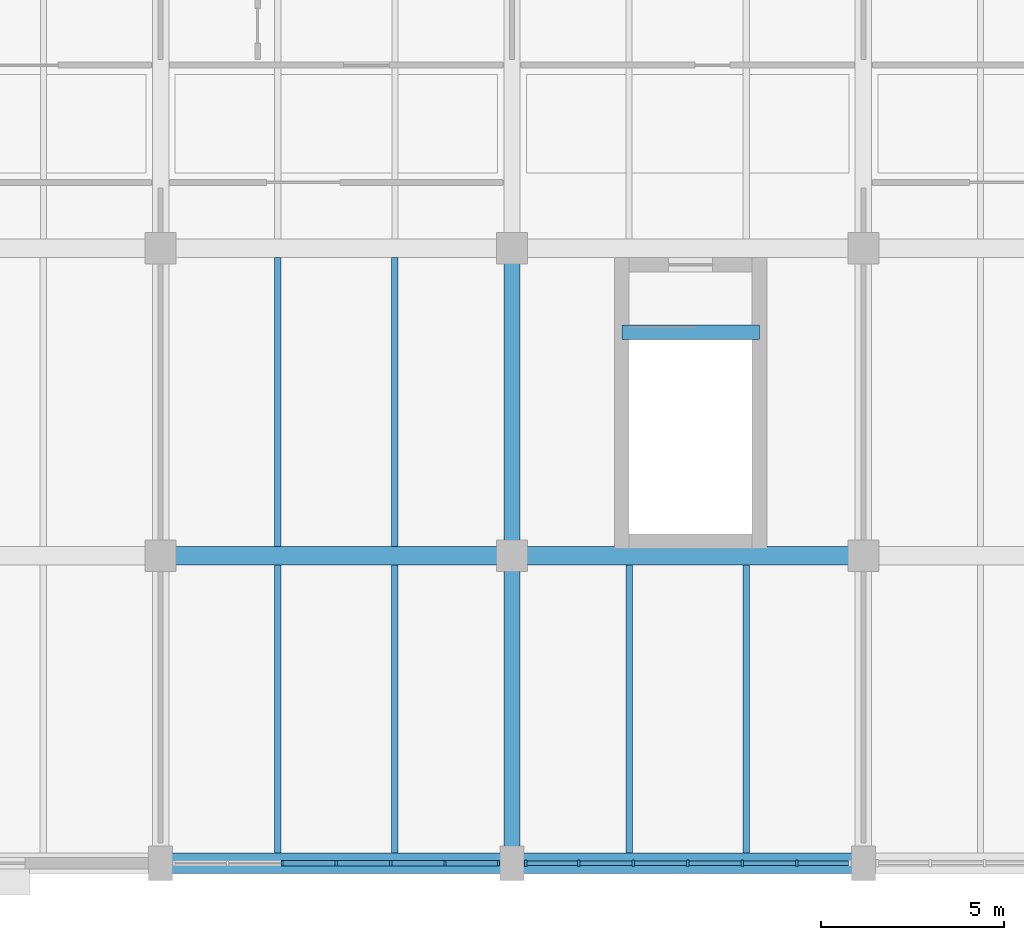
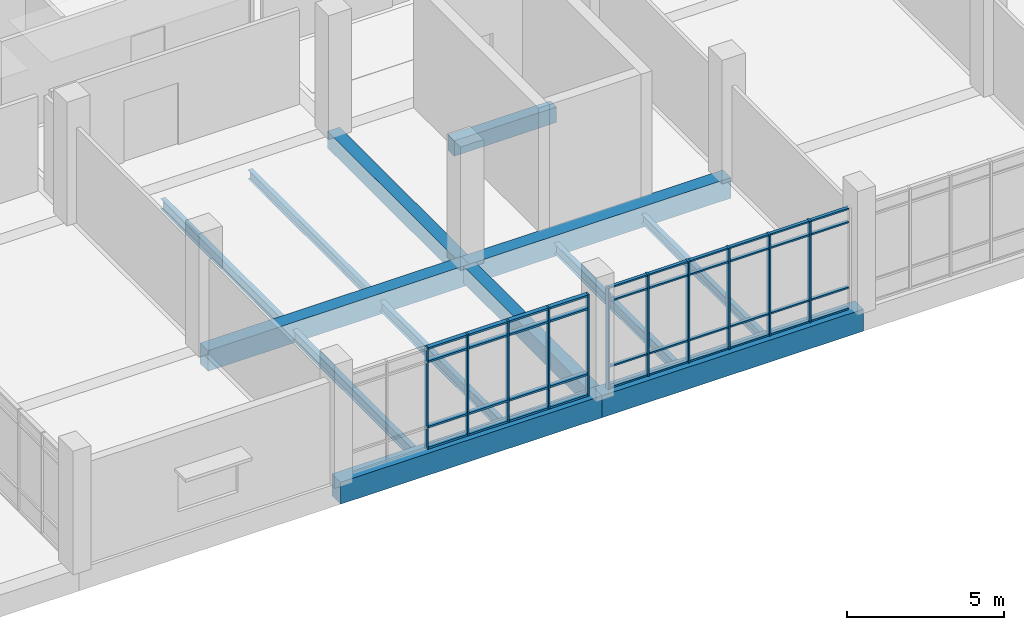
# One storey, part 11 of 152: 51 members, 13 beams, 2 elements without a shape of their own.
"""IFC4 building model written with IfcOpenShell, lengths in metres."""

from ifc_helpers import new_model, si_unit, direction, frame, origin, origin_2d, place, context, subcontext, project, spatial, rectangle, i_section, extrude, material, material_profile, profile_set, type_object, element, aggregate, save


model = new_model("IFC4")

# Units and contexts
model_context = context("Model", 3, precision=1e-05, world=origin(), true_north=direction((0.0, 1.0)))
body_context = subcontext(model_context, "Body", "Model", "MODEL_VIEW")
ifc_project = project(units=[si_unit("LENGTHUNIT", "METRE"), si_unit("AREAUNIT", "SQUARE_METRE"), si_unit("VOLUMEUNIT", "CUBIC_METRE"), si_unit("PLANEANGLEUNIT", "RADIAN"), si_unit("MASSUNIT", "GRAM", prefix="KILO")], contexts=[model_context])

# Site, building, storey
site_placement = place(None, origin())
site = spatial("IfcSite", under=ifc_project, at=site_placement, CompositionType="ELEMENT")
building_placement = place(site_placement, origin())
building = spatial("IfcBuilding", under=site, at=building_placement, Name="Oolite Switchyard Hospital", CompositionType="ELEMENT")
storey_placement = place(building_placement, frame((0.0, 0.0, 5.10009765625)))
storey = spatial("IfcBuildingStorey", under=building, at=storey_placement, Name="L01", CompositionType="ELEMENT", Elevation=5.10009765625)

# Beams
ifc_material_1 = material(Name="Concrete C40/50", Category="concrete")
ifc_material_profile_1 = material_profile(ifc_material_1, rectangle(XDim=0.39990234375, YDim=0.60009765625, at=origin_2d()), Name="RCB400X600")
ifc_profile_set_1 = profile_set([ifc_material_profile_1], Name="Concrete C40/50")
beam_type_1 = type_object("IfcBeamType", Name="BM-RC400X600", PredefinedType="BEAM", material=ifc_profile_set_1)
beam_1_placement = place(storey_placement, frame((41.39990234375, 14.510009765625, -0.300048828125), z_axis=(1.0, 0.0, 0.0), x_axis=(0.0, 1.0, 0.0)))
element("IfcBeam", 1, at=beam_1_placement, inside=storey, type_object=beam_type_1, Name="L01 ST-08 Stair Throat Trimmer Beam", PredefinedType="BEAM", context=body_context, shape_type="SweptSolid", body=[
    extrude(rectangle(XDim=0.39990234375, YDim=0.60009765625, at=origin_2d()), origin(), (0.0, 0.0, 1.0), 3.760009765625),
])
ifc_material_profile_2 = material_profile(ifc_material_1, rectangle(XDim=0.449951171875, YDim=0.64990234375, at=origin_2d()), Name="RCB450X650")
ifc_profile_set_2 = profile_set([ifc_material_profile_2], Name="Concrete C40/50")
beam_type_2 = type_object("IfcBeamType", Name="BM-RC450X650", PredefinedType="BEAM", material=ifc_profile_set_2)
beam_2_placement = place(storey_placement, frame((38.39990234375, 0.0, -0.3251953125), z_axis=(0.0, 1.0, 0.0), x_axis=(-1.0, 0.0, 0.0)))
element("IfcBeam", 2, at=beam_2_placement, inside=storey, type_object=beam_type_2, Name="L01 Y-Girder 350", PredefinedType="BEAM", context=body_context, shape_type="SweptSolid", body=[
    extrude(rectangle(XDim=0.449951171875, YDim=0.64990234375, at=origin_2d()), origin(), (0.0, 0.0, 1.0), 8.39990234375),
])
beam_3_placement = place(storey_placement, frame((38.39990234375, 8.39990234375, -0.3251953125), z_axis=(0.0, 1.0, 0.0), x_axis=(-1.0, 0.0, 0.0)))
element("IfcBeam", 3, at=beam_3_placement, inside=storey, type_object=beam_type_2, Name="L01 Y-Girder 351", PredefinedType="BEAM", context=body_context, shape_type="SweptSolid", body=[
    extrude(rectangle(XDim=0.449951171875, YDim=0.64990234375, at=origin_2d()), origin(), (0.0, 0.0, 1.0), 8.400146484375),
])
ifc_material_profile_3 = material_profile(ifc_material_1, rectangle(XDim=0.5, YDim=0.800048828125, at=origin_2d()), Name="RCB500X800")
ifc_profile_set_3 = profile_set([ifc_material_profile_3], Name="Concrete C40/50")
beam_type_3 = type_object("IfcBeamType", Name="BM-RC500X800", PredefinedType="BEAM", material=ifc_profile_set_3)
beam_4_placement = place(storey_placement, frame((28.800048828125, 8.39990234375, -0.400146484375), z_axis=(1.0, 0.0, 0.0), x_axis=(0.0, 1.0, 0.0)))
element("IfcBeam", 4, at=beam_4_placement, inside=storey, type_object=beam_type_3, Name="L01 X-Girder 11", PredefinedType="BEAM", context=body_context, shape_type="SweptSolid", body=[
    extrude(rectangle(XDim=0.5, YDim=0.800048828125, at=origin_2d()), origin(), (0.0, 0.0, 1.0), 9.599853515625),
])
beam_5_placement = place(storey_placement, frame((38.39990234375, 8.39990234375, -0.400146484375), z_axis=(1.0, 0.0, 0.0), x_axis=(0.0, 1.0, 0.0)))
element("IfcBeam", 5, at=beam_5_placement, inside=storey, type_object=beam_type_3, Name="L01 X-Girder 12", PredefinedType="BEAM", context=body_context, shape_type="SweptSolid", body=[
    extrude(rectangle(XDim=0.5, YDim=0.800048828125, at=origin_2d()), origin(), (0.0, 0.0, 1.0), 9.60009765625),
])
ifc_material_profile_4 = material_profile(ifc_material_1, rectangle(XDim=0.550048828125, YDim=0.85009765625, at=origin_2d()), Name="RCB550X850")
ifc_profile_set_4 = profile_set([ifc_material_profile_4], Name="Concrete C40/50")
beam_type_4 = type_object("IfcBeamType", Name="BM-RC550X850", PredefinedType="BEAM", material=ifc_profile_set_4)
beam_6_placement = place(storey_placement, frame((28.800048828125, 0.0, -0.425048828125), z_axis=(1.0, 0.0, 0.0), x_axis=(0.0, 1.0, 0.0)))
element("IfcBeam", 6, at=beam_6_placement, inside=storey, type_object=beam_type_4, Name="L01 X-Girder 4", PredefinedType="BEAM", context=body_context, shape_type="SweptSolid", body=[
    extrude(rectangle(XDim=0.550048828125, YDim=0.85009765625, at=origin_2d()), origin(), (0.0, 0.0, 1.0), 9.599853515625),
])
beam_7_placement = place(storey_placement, frame((38.39990234375, 0.0, -0.425048828125), z_axis=(1.0, 0.0, 0.0), x_axis=(0.0, 1.0, 0.0)))
element("IfcBeam", 7, at=beam_7_placement, inside=storey, type_object=beam_type_4, Name="L01 X-Girder 5", PredefinedType="BEAM", context=body_context, shape_type="SweptSolid", body=[
    extrude(rectangle(XDim=0.550048828125, YDim=0.85009765625, at=origin_2d()), origin(), (0.0, 0.0, 1.0), 9.60009765625),
])
ifc_material_2 = material(Name="Steel ASTM A992 Grade 50", Category="steel")
ifc_material_profile_5 = material_profile(ifc_material_2, i_section(OverallWidth=0.1708984375, OverallDepth=0.35107421875, WebThickness=0.007080078125, FlangeThickness=0.010009765625, at=origin_2d()), Name="W14X30")
ifc_profile_set_5 = profile_set([ifc_material_profile_5], Name="Steel ASTM A992 Grade 50")
beam_type_5 = type_object("IfcBeamType", Name="BM-W14X30", PredefinedType="JOIST", material=ifc_profile_set_5)
beam_8_placement = place(storey_placement, frame((35.199951171875, 8.64990234375, -0.4501953125), z_axis=(0.0, 1.0, 0.0), x_axis=(-1.0, 0.0, 0.0)))
element("IfcBeam", 8, at=beam_8_placement, inside=storey, type_object=beam_type_5, Name="L01 Secondary Steel Joist 653", PredefinedType="JOIST", context=body_context, shape_type="SweptSolid", body=[
    extrude(i_section(OverallWidth=0.1708984375, OverallDepth=0.35107421875, WebThickness=0.007080078125, FlangeThickness=0.010009765625, at=origin_2d()), origin(), (0.0, 0.0, 1.0), 7.900146484375),
])
beam_9_placement = place(storey_placement, frame((44.800048828125, 0.27490234375, -0.4501953125), z_axis=(0.0, 1.0, 0.0), x_axis=(-1.0, 0.0, 0.0)))
element("IfcBeam", 9, at=beam_9_placement, inside=storey, type_object=beam_type_5, Name="L01 Secondary Steel Joist 683", PredefinedType="JOIST", context=body_context, shape_type="SweptSolid", body=[
    extrude(i_section(OverallWidth=0.1708984375, OverallDepth=0.35107421875, WebThickness=0.007080078125, FlangeThickness=0.010009765625, at=origin_2d()), origin(), (0.0, 0.0, 1.0), 7.875),
])
ifc_material_profile_6 = material_profile(ifc_material_2, i_section(OverallWidth=0.177978515625, OverallDepth=0.403076171875, WebThickness=0.008056640625, FlangeThickness=0.010986328125, at=origin_2d()), Name="W16X36")
ifc_profile_set_6 = profile_set([ifc_material_profile_6], Name="Steel ASTM A992 Grade 50")
beam_type_6 = type_object("IfcBeamType", Name="BM-W16X36", PredefinedType="JOIST", material=ifc_profile_set_6)
beam_10_placement = place(storey_placement, frame((35.199951171875, 0.27490234375, -0.47705078125), z_axis=(0.0, 1.0, 0.0), x_axis=(-1.0, 0.0, 0.0)))
element("IfcBeam", 10, at=beam_10_placement, inside=storey, type_object=beam_type_6, Name="L01 Secondary Steel Joist 651", PredefinedType="JOIST", context=body_context, shape_type="SweptSolid", body=[
    extrude(i_section(OverallWidth=0.177978515625, OverallDepth=0.403076171875, WebThickness=0.008056640625, FlangeThickness=0.010986328125, at=origin_2d()), origin(), (0.0, 0.0, 1.0), 7.875),
])
beam_11_placement = place(storey_placement, frame((32.0, 8.64990234375, -0.47705078125), z_axis=(0.0, 1.0, 0.0), x_axis=(-1.0, 0.0, 0.0)))
element("IfcBeam", 11, at=beam_11_placement, inside=storey, type_object=beam_type_6, Name="L01 Secondary Steel Joist 652", PredefinedType="JOIST", context=body_context, shape_type="SweptSolid", body=[
    extrude(i_section(OverallWidth=0.177978515625, OverallDepth=0.403076171875, WebThickness=0.008056640625, FlangeThickness=0.010986328125, at=origin_2d()), origin(), (0.0, 0.0, 1.0), 7.900146484375),
])
beam_12_placement = place(storey_placement, frame((41.60009765625, 0.27490234375, -0.47705078125), z_axis=(0.0, 1.0, 0.0), x_axis=(-1.0, 0.0, 0.0)))
element("IfcBeam", 12, at=beam_12_placement, inside=storey, type_object=beam_type_6, Name="L01 Secondary Steel Joist 682", PredefinedType="JOIST", context=body_context, shape_type="SweptSolid", body=[
    extrude(i_section(OverallWidth=0.177978515625, OverallDepth=0.403076171875, WebThickness=0.008056640625, FlangeThickness=0.010986328125, at=origin_2d()), origin(), (0.0, 0.0, 1.0), 7.875),
])
ifc_material_profile_7 = material_profile(ifc_material_2, i_section(OverallWidth=0.179931640625, OverallDepth=0.4130859375, WebThickness=0.010009765625, FlangeThickness=0.01611328125, at=origin_2d()), Name="W16X50")
ifc_profile_set_7 = profile_set([ifc_material_profile_7], Name="Steel ASTM A992 Grade 50")
beam_type_7 = type_object("IfcBeamType", Name="BM-W16X50", PredefinedType="JOIST", material=ifc_profile_set_7)
beam_13_placement = place(storey_placement, frame((32.0, 0.27490234375, -0.482177734375), z_axis=(0.0, 1.0, 0.0), x_axis=(-1.0, 0.0, 0.0)))
element("IfcBeam", 13, at=beam_13_placement, inside=storey, type_object=beam_type_7, Name="L01 Secondary Steel Joist 650", PredefinedType="JOIST", context=body_context, shape_type="SweptSolid", body=[
    extrude(i_section(OverallWidth=0.179931640625, OverallDepth=0.4130859375, WebThickness=0.010009765625, FlangeThickness=0.01611328125, at=origin_2d()), origin(), (0.0, 0.0, 1.0), 7.875),
])

# Curtain wall, members
ifc_material_3 = material(Name="Thermally broken aluminum frame with laminated impact glazing", Category="aluminium")
curtain_wall_type = type_object("IfcCurtainWallType", Name="CW-UNIT-96X48", PredefinedType="USERDEFINED", material=ifc_material_3)
curtain_wall_1_placement = place(storey_placement, origin())
curtain_wall_1 = element("IfcCurtainWall", 14, at=curtain_wall_1_placement, inside=storey, type_object=curtain_wall_type, Name="L01 Unitised Curtain Wall 95", ObjectType="UNITISED", PredefinedType="USERDEFINED")
ifc_material_4 = material(Name="Aluminium 6063-T6", Category="aluminium")
ifc_material_profile_8 = material_profile(ifc_material_4, rectangle(XDim=0.159912109375, YDim=0.06005859375, at=origin_2d()), Name="CWM60X160")
ifc_profile_set_8 = profile_set([ifc_material_profile_8], Name="Aluminium 6063-T6")
member_type_1 = type_object("IfcMemberType", Name="CW-MUL-180", PredefinedType="MULLION", material=ifc_profile_set_8)
member_1_placement = place(storey_placement, frame((38.030029296875, 0.0, 0.0), z_axis=(0.0, 0.0, 1.0), x_axis=(0.0, -1.0, 0.0)))
member_1 = element("IfcMember", 15, at=member_1_placement, type_object=member_type_1, Name="CW-02 mullion 1", PredefinedType="MULLION", context=body_context, shape_type="SweptSolid", body=[
    extrude(rectangle(XDim=0.159912109375, YDim=0.06005859375, at=origin_2d()), origin(), (0.0, 0.0, 1.0), 3.93994140625),
])
member_2_placement = place(storey_placement, frame((36.5732421875, 0.0, 0.0), z_axis=(0.0, 0.0, 1.0), x_axis=(0.0, -1.0, 0.0)))
member_2 = element("IfcMember", 16, at=member_2_placement, type_object=member_type_1, Name="CW-02 mullion 2", PredefinedType="MULLION", context=body_context, shape_type="SweptSolid", body=[
    extrude(rectangle(XDim=0.159912109375, YDim=0.06005859375, at=origin_2d()), origin(), (0.0, 0.0, 1.0), 3.93994140625),
])
member_3_placement = place(storey_placement, frame((35.086669921875, 0.0, 0.0), z_axis=(0.0, 0.0, 1.0), x_axis=(0.0, -1.0, 0.0)))
member_3 = element("IfcMember", 17, at=member_3_placement, type_object=member_type_1, Name="CW-02 mullion 3", PredefinedType="MULLION", context=body_context, shape_type="SweptSolid", body=[
    extrude(rectangle(XDim=0.159912109375, YDim=0.06005859375, at=origin_2d()), origin(), (0.0, 0.0, 1.0), 3.93994140625),
])
member_4_placement = place(storey_placement, frame((33.60009765625, 0.0, 0.0), z_axis=(0.0, 0.0, 1.0), x_axis=(0.0, -1.0, 0.0)))
member_4 = element("IfcMember", 18, at=member_4_placement, type_object=member_type_1, Name="CW-02 mullion 4", PredefinedType="MULLION", context=body_context, shape_type="SweptSolid", body=[
    extrude(rectangle(XDim=0.159912109375, YDim=0.06005859375, at=origin_2d()), origin(), (0.0, 0.0, 1.0), 3.93994140625),
])
member_5_placement = place(storey_placement, frame((32.11328125, 0.0, 0.0), z_axis=(0.0, 0.0, 1.0), x_axis=(0.0, -1.0, 0.0)))
member_5 = element("IfcMember", 19, at=member_5_placement, type_object=member_type_1, Name="CW-02 mullion 5", PredefinedType="MULLION", context=body_context, shape_type="SweptSolid", body=[
    extrude(rectangle(XDim=0.159912109375, YDim=0.06005859375, at=origin_2d()), origin(), (0.0, 0.0, 1.0), 3.93994140625),
])

curtain_wall_2_placement = place(storey_placement, origin())
curtain_wall_2 = element("IfcCurtainWall", 20, at=curtain_wall_2_placement, inside=storey, type_object=curtain_wall_type, Name="L01 Unitised Curtain Wall 96", ObjectType="UNITISED", PredefinedType="USERDEFINED")
ifc_material_profile_9 = material_profile(ifc_material_4, rectangle(XDim=0.179931640625, YDim=0.070068359375, at=origin_2d()), Name="CWM70X180")
ifc_profile_set_9 = profile_set([ifc_material_profile_9], Name="Aluminium 6063-T6")
member_type_2 = type_object("IfcMemberType", Name="CW-MUL-220", PredefinedType="MULLION", material=ifc_profile_set_9)
member_6_placement = place(storey_placement, frame((46.17333984375, 0.0, 0.0), z_axis=(0.0, 0.0, 1.0), x_axis=(0.0, -1.0, 0.0)))
member_6 = element("IfcMember", 21, at=member_6_placement, type_object=member_type_2, Name="CW-02 mullion 2", PredefinedType="MULLION", context=body_context, shape_type="SweptSolid", body=[
    extrude(rectangle(XDim=0.179931640625, YDim=0.070068359375, at=origin_2d()), origin(), (0.0, 0.0, 1.0), 3.93994140625),
])
member_7_placement = place(storey_placement, frame((44.686767578125, 0.0, 0.0), z_axis=(0.0, 0.0, 1.0), x_axis=(0.0, -1.0, 0.0)))
member_7 = element("IfcMember", 22, at=member_7_placement, type_object=member_type_2, Name="CW-02 mullion 3", PredefinedType="MULLION", context=body_context, shape_type="SweptSolid", body=[
    extrude(rectangle(XDim=0.179931640625, YDim=0.070068359375, at=origin_2d()), origin(), (0.0, 0.0, 1.0), 3.93994140625),
])
member_8_placement = place(storey_placement, frame((43.199951171875, 0.0, 0.0), z_axis=(0.0, 0.0, 1.0), x_axis=(0.0, -1.0, 0.0)))
member_8 = element("IfcMember", 23, at=member_8_placement, type_object=member_type_2, Name="CW-02 mullion 4", PredefinedType="MULLION", context=body_context, shape_type="SweptSolid", body=[
    extrude(rectangle(XDim=0.179931640625, YDim=0.070068359375, at=origin_2d()), origin(), (0.0, 0.0, 1.0), 3.93994140625),
])
member_9_placement = place(storey_placement, frame((41.71337890625, 0.0, 0.0), z_axis=(0.0, 0.0, 1.0), x_axis=(0.0, -1.0, 0.0)))
member_9 = element("IfcMember", 24, at=member_9_placement, type_object=member_type_2, Name="CW-02 mullion 5", PredefinedType="MULLION", context=body_context, shape_type="SweptSolid", body=[
    extrude(rectangle(XDim=0.179931640625, YDim=0.070068359375, at=origin_2d()), origin(), (0.0, 0.0, 1.0), 3.93994140625),
])
member_10_placement = place(storey_placement, frame((40.2265625, 0.0, 0.0), z_axis=(0.0, 0.0, 1.0), x_axis=(0.0, -1.0, 0.0)))
member_10 = element("IfcMember", 25, at=member_10_placement, type_object=member_type_2, Name="CW-02 mullion 6", PredefinedType="MULLION", context=body_context, shape_type="SweptSolid", body=[
    extrude(rectangle(XDim=0.179931640625, YDim=0.070068359375, at=origin_2d()), origin(), (0.0, 0.0, 1.0), 3.93994140625),
])
member_11_placement = place(storey_placement, frame((38.77490234375, 0.0, 0.0), z_axis=(0.0, 0.0, 1.0), x_axis=(0.0, -1.0, 0.0)))
member_11 = element("IfcMember", 26, at=member_11_placement, type_object=member_type_2, Name="CW-02 mullion 7", PredefinedType="MULLION", context=body_context, shape_type="SweptSolid", body=[
    extrude(rectangle(XDim=0.179931640625, YDim=0.070068359375, at=origin_2d()), origin(), (0.0, 0.0, 1.0), 3.93994140625),
])
ifc_material_profile_10 = material_profile(ifc_material_4, rectangle(XDim=0.1201171875, YDim=0.06005859375, at=origin_2d()), Name="CWT60X120")
ifc_profile_set_10 = profile_set([ifc_material_profile_10], Name="Aluminium 6063-T6")
member_type_3 = type_object("IfcMemberType", Name="CW-TRN-150", PredefinedType="USERDEFINED", material=ifc_profile_set_10)
member_12_placement = place(storey_placement, frame((47.590087890625, 0.0, 0.02978515625), z_axis=(-1.0, 0.0, 0.0), x_axis=(0.0, -1.0, 0.0)))
member_12 = element("IfcMember", 27, at=member_12_placement, type_object=member_type_3, Name="CW-02 transom 1.1", ObjectType="TRANSOM", PredefinedType="USERDEFINED", context=body_context, shape_type="SweptSolid", body=[
    extrude(rectangle(XDim=0.1201171875, YDim=0.06005859375, at=origin_2d()), origin(), (0.0, 0.0, 1.0), 1.3818359375),
])
member_13_placement = place(storey_placement, frame((47.590087890625, 0.0, 0.849853515625), z_axis=(-1.0, 0.0, 0.0), x_axis=(0.0, -1.0, 0.0)))
member_13 = element("IfcMember", 28, at=member_13_placement, type_object=member_type_3, Name="CW-02 transom 1.2", ObjectType="TRANSOM", PredefinedType="USERDEFINED", context=body_context, shape_type="SweptSolid", body=[
    extrude(rectangle(XDim=0.1201171875, YDim=0.06005859375, at=origin_2d()), origin(), (0.0, 0.0, 1.0), 1.3818359375),
])
member_14_placement = place(storey_placement, frame((47.590087890625, 0.0, 3.389892578125), z_axis=(-1.0, 0.0, 0.0), x_axis=(0.0, -1.0, 0.0)))
member_14 = element("IfcMember", 29, at=member_14_placement, type_object=member_type_3, Name="CW-02 transom 1.3", ObjectType="TRANSOM", PredefinedType="USERDEFINED", context=body_context, shape_type="SweptSolid", body=[
    extrude(rectangle(XDim=0.1201171875, YDim=0.06005859375, at=origin_2d()), origin(), (0.0, 0.0, 1.0), 1.3818359375),
])
member_15_placement = place(storey_placement, frame((47.590087890625, 0.0, 3.909912109375), z_axis=(-1.0, 0.0, 0.0), x_axis=(0.0, -1.0, 0.0)))
member_15 = element("IfcMember", 30, at=member_15_placement, type_object=member_type_3, Name="CW-02 transom 1.4", ObjectType="TRANSOM", PredefinedType="USERDEFINED", context=body_context, shape_type="SweptSolid", body=[
    extrude(rectangle(XDim=0.1201171875, YDim=0.06005859375, at=origin_2d()), origin(), (0.0, 0.0, 1.0), 1.3818359375),
])
member_16_placement = place(storey_placement, frame((46.138427734375, 0.0, 0.02978515625), z_axis=(-1.0, 0.0, 0.0), x_axis=(0.0, -1.0, 0.0)))
member_16 = element("IfcMember", 31, at=member_16_placement, type_object=member_type_3, Name="CW-02 transom 2.1", ObjectType="TRANSOM", PredefinedType="USERDEFINED", context=body_context, shape_type="SweptSolid", body=[
    extrude(rectangle(XDim=0.1201171875, YDim=0.06005859375, at=origin_2d()), origin(), (0.0, 0.0, 1.0), 1.416748046875),
])
member_17_placement = place(storey_placement, frame((46.138427734375, 0.0, 0.849853515625), z_axis=(-1.0, 0.0, 0.0), x_axis=(0.0, -1.0, 0.0)))
member_17 = element("IfcMember", 32, at=member_17_placement, type_object=member_type_3, Name="CW-02 transom 2.2", ObjectType="TRANSOM", PredefinedType="USERDEFINED", context=body_context, shape_type="SweptSolid", body=[
    extrude(rectangle(XDim=0.1201171875, YDim=0.06005859375, at=origin_2d()), origin(), (0.0, 0.0, 1.0), 1.416748046875),
])
member_18_placement = place(storey_placement, frame((46.138427734375, 0.0, 3.389892578125), z_axis=(-1.0, 0.0, 0.0), x_axis=(0.0, -1.0, 0.0)))
member_18 = element("IfcMember", 33, at=member_18_placement, type_object=member_type_3, Name="CW-02 transom 2.3", ObjectType="TRANSOM", PredefinedType="USERDEFINED", context=body_context, shape_type="SweptSolid", body=[
    extrude(rectangle(XDim=0.1201171875, YDim=0.06005859375, at=origin_2d()), origin(), (0.0, 0.0, 1.0), 1.416748046875),
])
member_19_placement = place(storey_placement, frame((46.138427734375, 0.0, 3.909912109375), z_axis=(-1.0, 0.0, 0.0), x_axis=(0.0, -1.0, 0.0)))
member_19 = element("IfcMember", 34, at=member_19_placement, type_object=member_type_3, Name="CW-02 transom 2.4", ObjectType="TRANSOM", PredefinedType="USERDEFINED", context=body_context, shape_type="SweptSolid", body=[
    extrude(rectangle(XDim=0.1201171875, YDim=0.06005859375, at=origin_2d()), origin(), (0.0, 0.0, 1.0), 1.416748046875),
])
member_20_placement = place(storey_placement, frame((44.651611328125, 0.0, 0.02978515625), z_axis=(-1.0, 0.0, 0.0), x_axis=(0.0, -1.0, 0.0)))
member_20 = element("IfcMember", 35, at=member_20_placement, type_object=member_type_3, Name="CW-02 transom 3.1", ObjectType="TRANSOM", PredefinedType="USERDEFINED", context=body_context, shape_type="SweptSolid", body=[
    extrude(rectangle(XDim=0.1201171875, YDim=0.06005859375, at=origin_2d()), origin(), (0.0, 0.0, 1.0), 1.41650390625),
])
member_21_placement = place(storey_placement, frame((44.651611328125, 0.0, 0.849853515625), z_axis=(-1.0, 0.0, 0.0), x_axis=(0.0, -1.0, 0.0)))
member_21 = element("IfcMember", 36, at=member_21_placement, type_object=member_type_3, Name="CW-02 transom 3.2", ObjectType="TRANSOM", PredefinedType="USERDEFINED", context=body_context, shape_type="SweptSolid", body=[
    extrude(rectangle(XDim=0.1201171875, YDim=0.06005859375, at=origin_2d()), origin(), (0.0, 0.0, 1.0), 1.41650390625),
])
member_22_placement = place(storey_placement, frame((44.651611328125, 0.0, 3.389892578125), z_axis=(-1.0, 0.0, 0.0), x_axis=(0.0, -1.0, 0.0)))
member_22 = element("IfcMember", 37, at=member_22_placement, type_object=member_type_3, Name="CW-02 transom 3.3", ObjectType="TRANSOM", PredefinedType="USERDEFINED", context=body_context, shape_type="SweptSolid", body=[
    extrude(rectangle(XDim=0.1201171875, YDim=0.06005859375, at=origin_2d()), origin(), (0.0, 0.0, 1.0), 1.41650390625),
])
member_23_placement = place(storey_placement, frame((44.651611328125, 0.0, 3.909912109375), z_axis=(-1.0, 0.0, 0.0), x_axis=(0.0, -1.0, 0.0)))
member_23 = element("IfcMember", 38, at=member_23_placement, type_object=member_type_3, Name="CW-02 transom 3.4", ObjectType="TRANSOM", PredefinedType="USERDEFINED", context=body_context, shape_type="SweptSolid", body=[
    extrude(rectangle(XDim=0.1201171875, YDim=0.06005859375, at=origin_2d()), origin(), (0.0, 0.0, 1.0), 1.41650390625),
])
member_24_placement = place(storey_placement, frame((43.1650390625, 0.0, 0.02978515625), z_axis=(-1.0, 0.0, 0.0), x_axis=(0.0, -1.0, 0.0)))
member_24 = element("IfcMember", 39, at=member_24_placement, type_object=member_type_3, Name="CW-02 transom 4.1", ObjectType="TRANSOM", PredefinedType="USERDEFINED", context=body_context, shape_type="SweptSolid", body=[
    extrude(rectangle(XDim=0.1201171875, YDim=0.06005859375, at=origin_2d()), origin(), (0.0, 0.0, 1.0), 1.416748046875),
])
member_25_placement = place(storey_placement, frame((43.1650390625, 0.0, 0.849853515625), z_axis=(-1.0, 0.0, 0.0), x_axis=(0.0, -1.0, 0.0)))
member_25 = element("IfcMember", 40, at=member_25_placement, type_object=member_type_3, Name="CW-02 transom 4.2", ObjectType="TRANSOM", PredefinedType="USERDEFINED", context=body_context, shape_type="SweptSolid", body=[
    extrude(rectangle(XDim=0.1201171875, YDim=0.06005859375, at=origin_2d()), origin(), (0.0, 0.0, 1.0), 1.416748046875),
])
member_26_placement = place(storey_placement, frame((43.1650390625, 0.0, 3.389892578125), z_axis=(-1.0, 0.0, 0.0), x_axis=(0.0, -1.0, 0.0)))
member_26 = element("IfcMember", 41, at=member_26_placement, type_object=member_type_3, Name="CW-02 transom 4.3", ObjectType="TRANSOM", PredefinedType="USERDEFINED", context=body_context, shape_type="SweptSolid", body=[
    extrude(rectangle(XDim=0.1201171875, YDim=0.06005859375, at=origin_2d()), origin(), (0.0, 0.0, 1.0), 1.416748046875),
])
member_27_placement = place(storey_placement, frame((43.1650390625, 0.0, 3.909912109375), z_axis=(-1.0, 0.0, 0.0), x_axis=(0.0, -1.0, 0.0)))
member_27 = element("IfcMember", 42, at=member_27_placement, type_object=member_type_3, Name="CW-02 transom 4.4", ObjectType="TRANSOM", PredefinedType="USERDEFINED", context=body_context, shape_type="SweptSolid", body=[
    extrude(rectangle(XDim=0.1201171875, YDim=0.06005859375, at=origin_2d()), origin(), (0.0, 0.0, 1.0), 1.416748046875),
])
member_28_placement = place(storey_placement, frame((41.67822265625, 0.0, 0.02978515625), z_axis=(-1.0, 0.0, 0.0), x_axis=(0.0, -1.0, 0.0)))
member_28 = element("IfcMember", 43, at=member_28_placement, type_object=member_type_3, Name="CW-02 transom 5.1", ObjectType="TRANSOM", PredefinedType="USERDEFINED", context=body_context, shape_type="SweptSolid", body=[
    extrude(rectangle(XDim=0.1201171875, YDim=0.06005859375, at=origin_2d()), origin(), (0.0, 0.0, 1.0), 1.41650390625),
])
member_29_placement = place(storey_placement, frame((41.67822265625, 0.0, 0.849853515625), z_axis=(-1.0, 0.0, 0.0), x_axis=(0.0, -1.0, 0.0)))
member_29 = element("IfcMember", 44, at=member_29_placement, type_object=member_type_3, Name="CW-02 transom 5.2", ObjectType="TRANSOM", PredefinedType="USERDEFINED", context=body_context, shape_type="SweptSolid", body=[
    extrude(rectangle(XDim=0.1201171875, YDim=0.06005859375, at=origin_2d()), origin(), (0.0, 0.0, 1.0), 1.41650390625),
])
member_30_placement = place(storey_placement, frame((41.67822265625, 0.0, 3.389892578125), z_axis=(-1.0, 0.0, 0.0), x_axis=(0.0, -1.0, 0.0)))
member_30 = element("IfcMember", 45, at=member_30_placement, type_object=member_type_3, Name="CW-02 transom 5.3", ObjectType="TRANSOM", PredefinedType="USERDEFINED", context=body_context, shape_type="SweptSolid", body=[
    extrude(rectangle(XDim=0.1201171875, YDim=0.06005859375, at=origin_2d()), origin(), (0.0, 0.0, 1.0), 1.41650390625),
])
member_31_placement = place(storey_placement, frame((41.67822265625, 0.0, 3.909912109375), z_axis=(-1.0, 0.0, 0.0), x_axis=(0.0, -1.0, 0.0)))
member_31 = element("IfcMember", 46, at=member_31_placement, type_object=member_type_3, Name="CW-02 transom 5.4", ObjectType="TRANSOM", PredefinedType="USERDEFINED", context=body_context, shape_type="SweptSolid", body=[
    extrude(rectangle(XDim=0.1201171875, YDim=0.06005859375, at=origin_2d()), origin(), (0.0, 0.0, 1.0), 1.41650390625),
])
member_32_placement = place(storey_placement, frame((40.191650390625, 0.0, 0.02978515625), z_axis=(-1.0, 0.0, 0.0), x_axis=(0.0, -1.0, 0.0)))
member_32 = element("IfcMember", 47, at=member_32_placement, type_object=member_type_3, Name="CW-02 transom 6.1", ObjectType="TRANSOM", PredefinedType="USERDEFINED", context=body_context, shape_type="SweptSolid", body=[
    extrude(rectangle(XDim=0.1201171875, YDim=0.06005859375, at=origin_2d()), origin(), (0.0, 0.0, 1.0), 1.381591796875),
])
member_33_placement = place(storey_placement, frame((40.191650390625, 0.0, 0.849853515625), z_axis=(-1.0, 0.0, 0.0), x_axis=(0.0, -1.0, 0.0)))
member_33 = element("IfcMember", 48, at=member_33_placement, type_object=member_type_3, Name="CW-02 transom 6.2", ObjectType="TRANSOM", PredefinedType="USERDEFINED", context=body_context, shape_type="SweptSolid", body=[
    extrude(rectangle(XDim=0.1201171875, YDim=0.06005859375, at=origin_2d()), origin(), (0.0, 0.0, 1.0), 1.381591796875),
])
member_34_placement = place(storey_placement, frame((40.191650390625, 0.0, 3.389892578125), z_axis=(-1.0, 0.0, 0.0), x_axis=(0.0, -1.0, 0.0)))
member_34 = element("IfcMember", 49, at=member_34_placement, type_object=member_type_3, Name="CW-02 transom 6.3", ObjectType="TRANSOM", PredefinedType="USERDEFINED", context=body_context, shape_type="SweptSolid", body=[
    extrude(rectangle(XDim=0.1201171875, YDim=0.06005859375, at=origin_2d()), origin(), (0.0, 0.0, 1.0), 1.381591796875),
])
member_35_placement = place(storey_placement, frame((40.191650390625, 0.0, 3.909912109375), z_axis=(-1.0, 0.0, 0.0), x_axis=(0.0, -1.0, 0.0)))
member_35 = element("IfcMember", 50, at=member_35_placement, type_object=member_type_3, Name="CW-02 transom 6.4", ObjectType="TRANSOM", PredefinedType="USERDEFINED", context=body_context, shape_type="SweptSolid", body=[
    extrude(rectangle(XDim=0.1201171875, YDim=0.06005859375, at=origin_2d()), origin(), (0.0, 0.0, 1.0), 1.381591796875),
])
aggregate(curtain_wall_2, [member_6, member_7, member_8, member_9, member_10, member_11, member_12, member_13, member_14, member_15, member_16, member_17, member_18, member_19, member_20, member_21, member_22, member_23, member_24, member_25, member_26, member_27, member_28, member_29, member_30, member_31, member_32, member_33, member_34, member_35])

# Member
ifc_material_profile_11 = material_profile(ifc_material_4, rectangle(XDim=0.159912109375, YDim=0.074951171875, at=origin_2d()), Name="CWT75X160")
ifc_profile_set_11 = profile_set([ifc_material_profile_11], Name="Aluminium 6063-T6")
member_type_4 = type_object("IfcMemberType", Name="CW-TRN-180", PredefinedType="USERDEFINED", material=ifc_profile_set_11)
member_36_placement = place(storey_placement, frame((38.0, 0.0, 0.037353515625), z_axis=(-1.0, 0.0, 0.0), x_axis=(0.0, -1.0, 0.0)))
member_36 = element("IfcMember", 51, at=member_36_placement, type_object=member_type_4, Name="CW-02 transom 1.1", ObjectType="TRANSOM", PredefinedType="USERDEFINED", context=body_context, shape_type="SweptSolid", body=[
    extrude(rectangle(XDim=0.159912109375, YDim=0.074951171875, at=origin_2d()), origin(), (0.0, 0.0, 1.0), 1.396728515625),
])

member_37_placement = place(storey_placement, frame((38.0, 0.0, 0.849853515625), z_axis=(-1.0, 0.0, 0.0), x_axis=(0.0, -1.0, 0.0)))
member_37 = element("IfcMember", 52, at=member_37_placement, type_object=member_type_4, Name="CW-02 transom 1.2", ObjectType="TRANSOM", PredefinedType="USERDEFINED", context=body_context, shape_type="SweptSolid", body=[
    extrude(rectangle(XDim=0.159912109375, YDim=0.074951171875, at=origin_2d()), origin(), (0.0, 0.0, 1.0), 1.396728515625),
])

member_38_placement = place(storey_placement, frame((38.0, 0.0, 3.389892578125), z_axis=(-1.0, 0.0, 0.0), x_axis=(0.0, -1.0, 0.0)))
member_38 = element("IfcMember", 53, at=member_38_placement, type_object=member_type_4, Name="CW-02 transom 1.3", ObjectType="TRANSOM", PredefinedType="USERDEFINED", context=body_context, shape_type="SweptSolid", body=[
    extrude(rectangle(XDim=0.159912109375, YDim=0.074951171875, at=origin_2d()), origin(), (0.0, 0.0, 1.0), 1.396728515625),
])

member_39_placement = place(storey_placement, frame((38.0, 0.0, 3.90234375), z_axis=(-1.0, 0.0, 0.0), x_axis=(0.0, -1.0, 0.0)))
member_39 = element("IfcMember", 54, at=member_39_placement, type_object=member_type_4, Name="CW-02 transom 1.4", ObjectType="TRANSOM", PredefinedType="USERDEFINED", context=body_context, shape_type="SweptSolid", body=[
    extrude(rectangle(XDim=0.159912109375, YDim=0.074951171875, at=origin_2d()), origin(), (0.0, 0.0, 1.0), 1.396728515625),
])

member_40_placement = place(storey_placement, frame((36.543212890625, 0.0, 0.037353515625), z_axis=(-1.0, 0.0, 0.0), x_axis=(0.0, -1.0, 0.0)))
member_40 = element("IfcMember", 55, at=member_40_placement, type_object=member_type_4, Name="CW-02 transom 2.1", ObjectType="TRANSOM", PredefinedType="USERDEFINED", context=body_context, shape_type="SweptSolid", body=[
    extrude(rectangle(XDim=0.159912109375, YDim=0.074951171875, at=origin_2d()), origin(), (0.0, 0.0, 1.0), 1.426513671875),
])

member_41_placement = place(storey_placement, frame((36.543212890625, 0.0, 0.849853515625), z_axis=(-1.0, 0.0, 0.0), x_axis=(0.0, -1.0, 0.0)))
member_41 = element("IfcMember", 56, at=member_41_placement, type_object=member_type_4, Name="CW-02 transom 2.2", ObjectType="TRANSOM", PredefinedType="USERDEFINED", context=body_context, shape_type="SweptSolid", body=[
    extrude(rectangle(XDim=0.159912109375, YDim=0.074951171875, at=origin_2d()), origin(), (0.0, 0.0, 1.0), 1.426513671875),
])

member_42_placement = place(storey_placement, frame((36.543212890625, 0.0, 3.389892578125), z_axis=(-1.0, 0.0, 0.0), x_axis=(0.0, -1.0, 0.0)))
member_42 = element("IfcMember", 57, at=member_42_placement, type_object=member_type_4, Name="CW-02 transom 2.3", ObjectType="TRANSOM", PredefinedType="USERDEFINED", context=body_context, shape_type="SweptSolid", body=[
    extrude(rectangle(XDim=0.159912109375, YDim=0.074951171875, at=origin_2d()), origin(), (0.0, 0.0, 1.0), 1.426513671875),
])

member_43_placement = place(storey_placement, frame((36.543212890625, 0.0, 3.90234375), z_axis=(-1.0, 0.0, 0.0), x_axis=(0.0, -1.0, 0.0)))
member_43 = element("IfcMember", 58, at=member_43_placement, type_object=member_type_4, Name="CW-02 transom 2.4", ObjectType="TRANSOM", PredefinedType="USERDEFINED", context=body_context, shape_type="SweptSolid", body=[
    extrude(rectangle(XDim=0.159912109375, YDim=0.074951171875, at=origin_2d()), origin(), (0.0, 0.0, 1.0), 1.426513671875),
])

member_44_placement = place(storey_placement, frame((35.056640625, 0.0, 0.037353515625), z_axis=(-1.0, 0.0, 0.0), x_axis=(0.0, -1.0, 0.0)))
member_44 = element("IfcMember", 59, at=member_44_placement, type_object=member_type_4, Name="CW-02 transom 3.1", ObjectType="TRANSOM", PredefinedType="USERDEFINED", context=body_context, shape_type="SweptSolid", body=[
    extrude(rectangle(XDim=0.159912109375, YDim=0.074951171875, at=origin_2d()), origin(), (0.0, 0.0, 1.0), 1.4267578125),
])

member_45_placement = place(storey_placement, frame((35.056640625, 0.0, 0.849853515625), z_axis=(-1.0, 0.0, 0.0), x_axis=(0.0, -1.0, 0.0)))
member_45 = element("IfcMember", 60, at=member_45_placement, type_object=member_type_4, Name="CW-02 transom 3.2", ObjectType="TRANSOM", PredefinedType="USERDEFINED", context=body_context, shape_type="SweptSolid", body=[
    extrude(rectangle(XDim=0.159912109375, YDim=0.074951171875, at=origin_2d()), origin(), (0.0, 0.0, 1.0), 1.4267578125),
])

member_46_placement = place(storey_placement, frame((35.056640625, 0.0, 3.389892578125), z_axis=(-1.0, 0.0, 0.0), x_axis=(0.0, -1.0, 0.0)))
member_46 = element("IfcMember", 61, at=member_46_placement, type_object=member_type_4, Name="CW-02 transom 3.3", ObjectType="TRANSOM", PredefinedType="USERDEFINED", context=body_context, shape_type="SweptSolid", body=[
    extrude(rectangle(XDim=0.159912109375, YDim=0.074951171875, at=origin_2d()), origin(), (0.0, 0.0, 1.0), 1.4267578125),
])

member_47_placement = place(storey_placement, frame((35.056640625, 0.0, 3.90234375), z_axis=(-1.0, 0.0, 0.0), x_axis=(0.0, -1.0, 0.0)))
member_47 = element("IfcMember", 62, at=member_47_placement, type_object=member_type_4, Name="CW-02 transom 3.4", ObjectType="TRANSOM", PredefinedType="USERDEFINED", context=body_context, shape_type="SweptSolid", body=[
    extrude(rectangle(XDim=0.159912109375, YDim=0.074951171875, at=origin_2d()), origin(), (0.0, 0.0, 1.0), 1.4267578125),
])

member_48_placement = place(storey_placement, frame((33.570068359375, 0.0, 0.037353515625), z_axis=(-1.0, 0.0, 0.0), x_axis=(0.0, -1.0, 0.0)))
member_48 = element("IfcMember", 63, at=member_48_placement, type_object=member_type_4, Name="CW-02 transom 4.1", ObjectType="TRANSOM", PredefinedType="USERDEFINED", context=body_context, shape_type="SweptSolid", body=[
    extrude(rectangle(XDim=0.159912109375, YDim=0.074951171875, at=origin_2d()), origin(), (0.0, 0.0, 1.0), 1.4267578125),
])

member_49_placement = place(storey_placement, frame((33.570068359375, 0.0, 0.849853515625), z_axis=(-1.0, 0.0, 0.0), x_axis=(0.0, -1.0, 0.0)))
member_49 = element("IfcMember", 64, at=member_49_placement, type_object=member_type_4, Name="CW-02 transom 4.2", ObjectType="TRANSOM", PredefinedType="USERDEFINED", context=body_context, shape_type="SweptSolid", body=[
    extrude(rectangle(XDim=0.159912109375, YDim=0.074951171875, at=origin_2d()), origin(), (0.0, 0.0, 1.0), 1.4267578125),
])

member_50_placement = place(storey_placement, frame((33.570068359375, 0.0, 3.389892578125), z_axis=(-1.0, 0.0, 0.0), x_axis=(0.0, -1.0, 0.0)))
member_50 = element("IfcMember", 65, at=member_50_placement, type_object=member_type_4, Name="CW-02 transom 4.3", ObjectType="TRANSOM", PredefinedType="USERDEFINED", context=body_context, shape_type="SweptSolid", body=[
    extrude(rectangle(XDim=0.159912109375, YDim=0.074951171875, at=origin_2d()), origin(), (0.0, 0.0, 1.0), 1.4267578125),
])

member_51_placement = place(storey_placement, frame((33.570068359375, 0.0, 3.90234375), z_axis=(-1.0, 0.0, 0.0), x_axis=(0.0, -1.0, 0.0)))
member_51 = element("IfcMember", 66, at=member_51_placement, type_object=member_type_4, Name="CW-02 transom 4.4", ObjectType="TRANSOM", PredefinedType="USERDEFINED", context=body_context, shape_type="SweptSolid", body=[
    extrude(rectangle(XDim=0.159912109375, YDim=0.074951171875, at=origin_2d()), origin(), (0.0, 0.0, 1.0), 1.4267578125),
])

aggregate(curtain_wall_1, [member_1, member_2, member_3, member_4, member_5, member_36, member_37, member_38, member_39, member_40, member_41, member_42, member_43, member_44, member_45, member_46, member_47, member_48, member_49, member_50, member_51])

save(model, "model.ifc")
